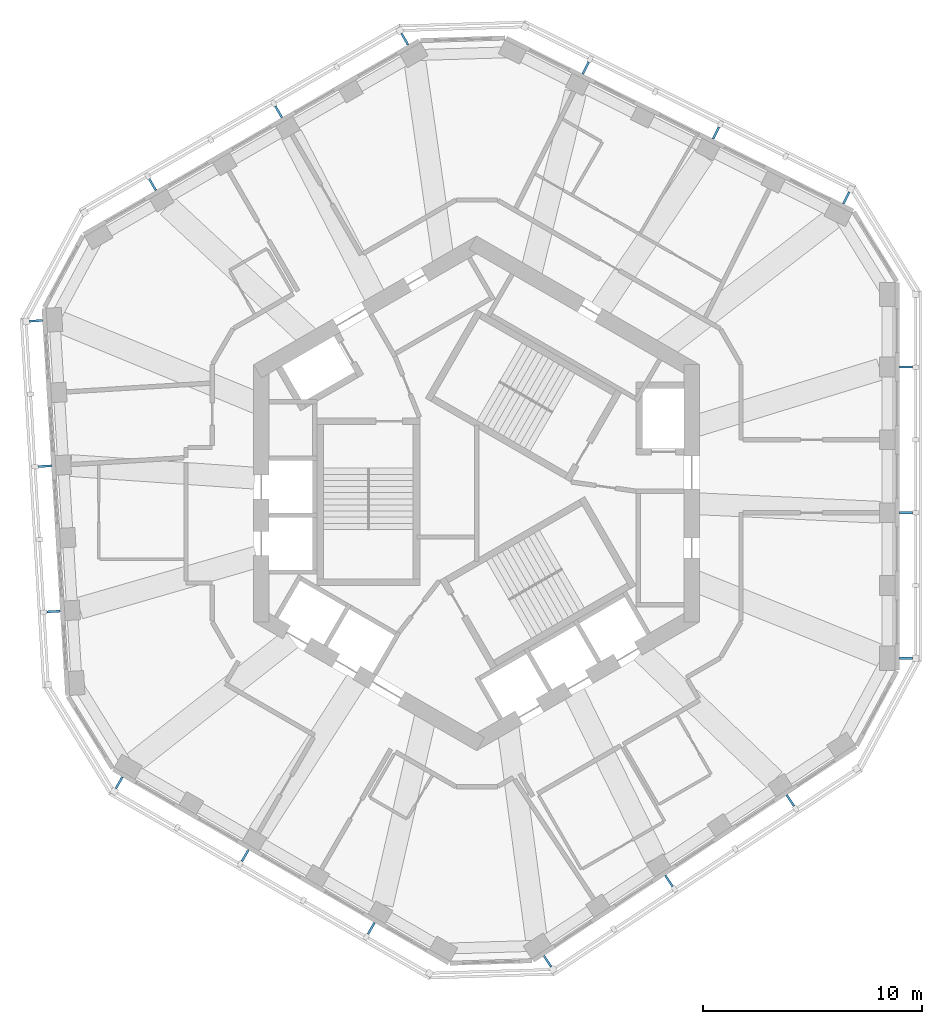
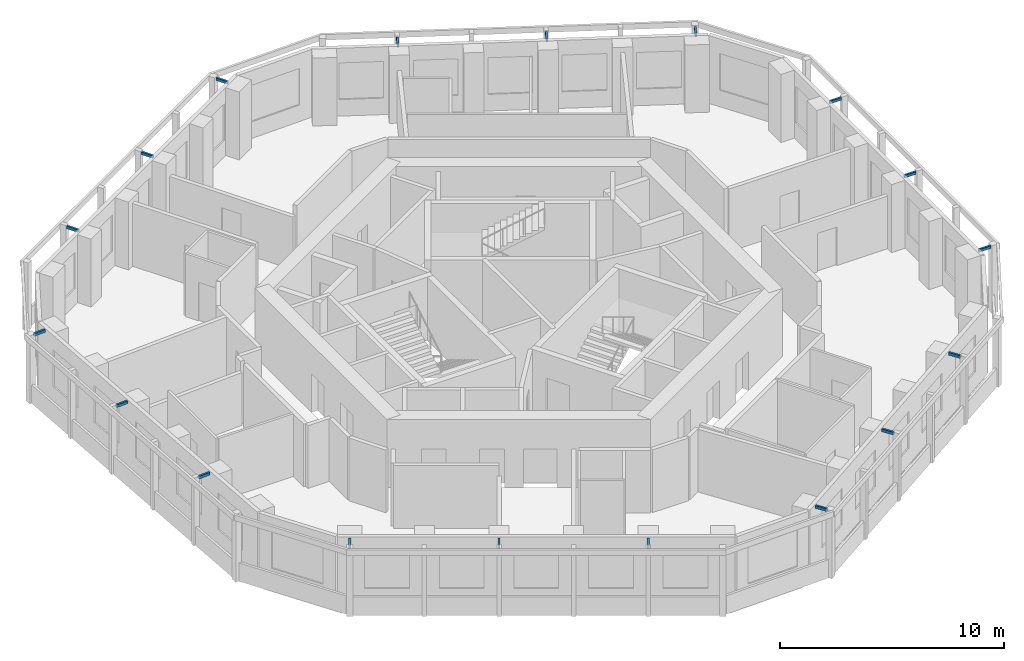
# One storey, part 9 of 10: 18 discrete accessories.
"""IFC4 building model written with IfcOpenShell, lengths in metres."""

from ifc_helpers import new_model, si_unit, direction, frame, origin, origin_2d, place, context, subcontext, project, spatial, rectangle, extrude, material, type_object, element, save


model = new_model("IFC4")

# Units and contexts
model_context = context("Model", 3, precision=1e-05, world=origin(), true_north=direction((0.0, 1.0)))
body_context = subcontext(model_context, "Body", "Model", "MODEL_VIEW")
ifc_project = project(units=[si_unit("LENGTHUNIT", "METRE"), si_unit("AREAUNIT", "SQUARE_METRE"), si_unit("VOLUMEUNIT", "CUBIC_METRE"), si_unit("PLANEANGLEUNIT", "RADIAN"), si_unit("MASSUNIT", "GRAM", prefix="KILO")], contexts=[model_context])

# Site, building, storey
site_placement = place(None, origin())
site = spatial("IfcSite", under=ifc_project, at=site_placement, CompositionType="ELEMENT")
building_placement = place(site_placement, origin())
building = spatial("IfcBuilding", under=site, at=building_placement, Name="Vanh Sen Convention Tower", CompositionType="ELEMENT")
storey_placement = place(building_placement, frame((0.0, 0.0, 267.199951171875)))
storey = spatial("IfcBuildingStorey", under=building, at=storey_placement, Name="L66", CompositionType="ELEMENT", Elevation=267.199951171875)

# Discrete accessories
ifc_material = material(Name="Steel S355", Category="steel")
discrete_accessory_type = type_object("IfcDiscreteAccessoryType", Name="Fin bracket 100 x 150", PredefinedType="BRACKET", material=ifc_material)
for number, where, z_axis, x_axis, name in (
    (1, (19.64990234375, -7.546630859375, 3.5), (0.0, 0.0, 1.0), (1.0, 0.0, 0.0), "Fin bracket E-1 L66"),
    (2, (19.64990234375, -0.88330078125, 3.5), (0.0, 0.0, 1.0), (1.0, 0.0, 0.0), "Fin bracket E-3 L66"),
    (3, (19.64990234375, 5.77978515625, 3.5), (0.0, 0.0, 1.0), (1.0, 0.0, 0.0), "Fin bracket E-5 L66"),
    (4, (16.922119140625, 13.52001953125, 3.5), (0.0, 0.0, 1.0), (0.44619781311, 0.894934361602, 0.0), "Fin bracket NE-1 L66"),
    (5, (10.958740234375, 16.4931640625, 3.5), (0.0, 0.0, 1.0), (0.44619781311, 0.894934361602, 0.0), "Fin bracket NE-3 L66"),
    (6, (4.99560546875, 19.46630859375, 3.5), (0.0, 0.0, 1.0), (0.44619781311, 0.894934361602, 0.0), "Fin bracket NE-5 L66"),
    (7, (-3.289306640625, 20.790771484375, 3.5), (0.0, 0.0, 1.0), (-0.5, 0.866025403784, 0.0), "Fin bracket NW-1 L66"),
    (8, (-9.059814453125, 17.458984375, 3.5), (0.0, 0.0, 1.0), (-0.5, 0.866025403784, 0.0), "Fin bracket NW-3 L66"),
    (9, (-14.83056640625, 14.12744140625, 3.5), (0.0, 0.0, 1.0), (-0.5, 0.866025403784, 0.0), "Fin bracket NW-5 L66"),
    (10, (-20.169677734375, 7.89501953125, 3.5), (0.0, 0.0, 1.0), (-0.998134798422, -0.061048539535, 0.0), "Fin bracket W-1 L66"),
    (11, (-19.7626953125, 1.243896484375, 3.5), (0.0, 0.0, 1.0), (-0.998134798422, -0.061048539535, 0.0), "Fin bracket W-3 L66"),
    (12, (-19.35595703125, -5.40673828125, 3.5), (0.0, 0.0, 1.0), (-0.998134798422, -0.061048539535, 0.0), "Fin bracket W-5 L66"),
    (13, (-16.360595703125, -13.243896484375, 3.5), (0.0, 0.0, 1.0), (-0.5, -0.866025403784, 0.0), "Fin bracket SW-1 L66"),
    (14, (-10.590087890625, -16.57568359375, 3.5), (0.0, 0.0, 1.0), (-0.5, -0.866025403784, 0.0), "Fin bracket SW-3 L66"),
    (15, (-4.819580078125, -19.9072265625, 3.5), (0.0, 0.0, 1.0), (-0.5, -0.866025403784, 0.0), "Fin bracket SW-5 L66"),
    (16, (3.24755859375, -21.414794921875, 3.5), (0.0, 0.0, 1.0), (0.551936985312, -0.833885822067, 0.0), "Fin bracket SE-1 L66"),
    (17, (8.803955078125, -17.737060546875, 3.5), (0.0, 0.0, 1.0), (0.551936985312, -0.833885822067, 0.0), "Fin bracket SE-3 L66"),
    (18, (14.3603515625, -14.059326171875, 3.5), (0.0, 0.0, 1.0), (0.551936985312, -0.833885822067, 0.0), "Fin bracket SE-5 L66"),
):
    element("IfcDiscreteAccessory", number, at=place(storey_placement, frame(where, z_axis=z_axis, x_axis=x_axis)), inside=storey, type_object=discrete_accessory_type, Name=name, PredefinedType="BRACKET", context=body_context, shape_type="SweptSolid", body=[
        extrude(rectangle(XDim=0.60009765625, YDim=0.10009765625, at=origin_2d()), origin(), (0.0, 0.0, 1.0), 0.14990234375),
    ])

save(model, "model.ifc")
